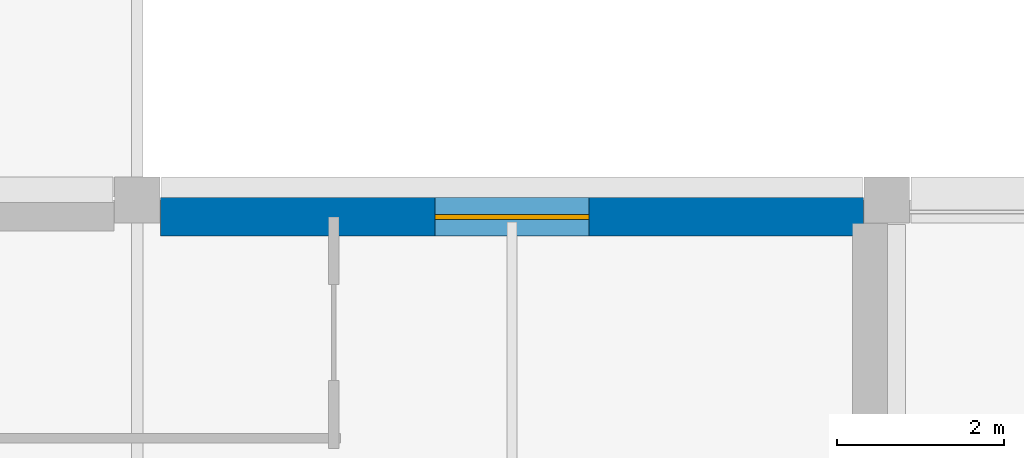
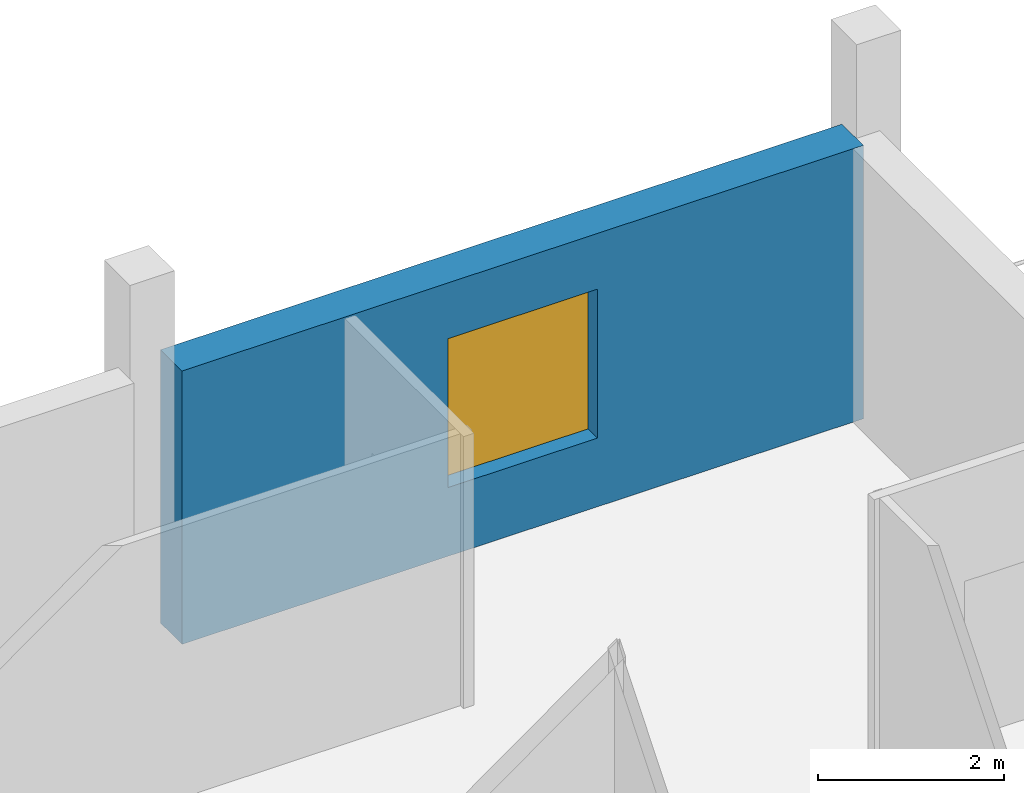
# One storey, part 86 of 111: 1 wall, 1 window, 1 opening.
"""IFC4 building model written with IfcOpenShell, lengths in metres."""

from ifc_helpers import new_model, si_unit, direction, frame, frame_2d, origin, place, context, subcontext, project, spatial, rectangle, extrude, material, layer, layer_set, type_object, element, fill, save


model = new_model("IFC4")

# Units and contexts
model_context = context("Model", 3, precision=1e-05, world=origin(), true_north=direction((0.0, 1.0)))
body_context = subcontext(model_context, "Body", "Model", "MODEL_VIEW")
ifc_project = project(units=[si_unit("LENGTHUNIT", "METRE"), si_unit("AREAUNIT", "SQUARE_METRE"), si_unit("VOLUMEUNIT", "CUBIC_METRE"), si_unit("PLANEANGLEUNIT", "RADIAN"), si_unit("MASSUNIT", "GRAM", prefix="KILO"), si_unit("THERMODYNAMICTEMPERATUREUNIT", "KELVIN"), si_unit("POWERUNIT", "WATT")], contexts=[model_context])

# Site, building, storey
site_placement = place(None, origin())
site = spatial("IfcSite", under=ifc_project, at=site_placement, CompositionType="ELEMENT")
building_placement = place(site_placement, origin())
building = spatial("IfcBuilding", under=site, at=building_placement, Name="Sindhuravela Promenade Stadium", CompositionType="ELEMENT")
storey_placement = place(building_placement, frame((0.0, 0.0, 9.60009765625)))
storey = spatial("IfcBuildingStorey", under=building, at=storey_placement, Name="L02", CompositionType="ELEMENT", Elevation=9.60009765625)

# Wall, opening, window
ifc_material_1 = material(Name="Terracotta clay brick masonry (15 MPa)", Category="masonry")
ifc_layer = layer(ifc_material_1, 0.4599609375)
ifc_layer_set = layer_set([ifc_layer], Name="Terracotta clay brick masonry (15 MPa)")
wall_type = type_object("IfcWallType", Name="EX-WL-BRK460", PredefinedType="SOLIDWALL", material=ifc_layer_set)
wall_placement = place(storey_placement, frame((198.280029296875, 152.800048828125, 0.0), z_axis=(0.0, 0.0, 1.0), x_axis=(1.0, 0.0, 0.0)))
wall = element("IfcWall", 1, at=wall_placement, inside=storey, type_object=wall_type, Name="Exterior masonry wall EW01 Pavilion NE L02", PredefinedType="SOLIDWALL", context=body_context, shape_type="SweptSolid", body=[
    extrude(rectangle(XDim=8.43994140625, YDim=0.4599609375, at=frame_2d((4.219970703125, 0.0))), origin(), (0.0, 0.0, 1.0), 3.579833984375),
])
opening_placement = place(wall_placement, frame((3.294921875, 0.0, 0.89990234375)))
opening = element("IfcOpeningElement", 2, at=opening_placement, cuts=wall, Name="Opening W28", PredefinedType="OPENING", context=body_context, shape_type="SweptSolid", body=[
    extrude(rectangle(XDim=1.85009765625, YDim=1.949951171875, at=frame_2d((0.925048828125, 0.97509765625))), frame((0.0, 0.239990234375, 0.0), z_axis=(0.0, -1.0, 0.0), x_axis=(1.0, 0.0, 0.0)), (0.0, 0.0, 1.0), 0.47998046875),
])
ifc_material_2 = material(Name="Tempered laminated low-E glass", Category="glass")
window_type = type_object("IfcWindowType", Name="WN-FAC-1850x1950", PartitioningType="DOUBLE_PANEL_VERTICAL", PredefinedType="WINDOW", material=ifc_material_2)
window_placement = place(opening_placement, origin())
window = element("IfcWindow", 3, at=window_placement, inside=storey, type_object=window_type, Name="Window W28 Pavilion NE L02", OverallHeight=1.949951171875, OverallWidth=1.85009765625, PartitioningType="DOUBLE_PANEL_VERTICAL", PredefinedType="WINDOW", context=body_context, shape_type="SweptSolid", body=[
    extrude(rectangle(XDim=1.85009765625, YDim=1.949951171875, at=frame_2d((0.925048828125, 0.97509765625))), frame((0.0, 0.030029296875, 0.0), z_axis=(0.0, -1.0, 0.0), x_axis=(1.0, 0.0, 0.0)), (0.0, 0.0, 1.0), 0.06005859375),
])
fill(opening, window)

save(model, "model.ifc")
